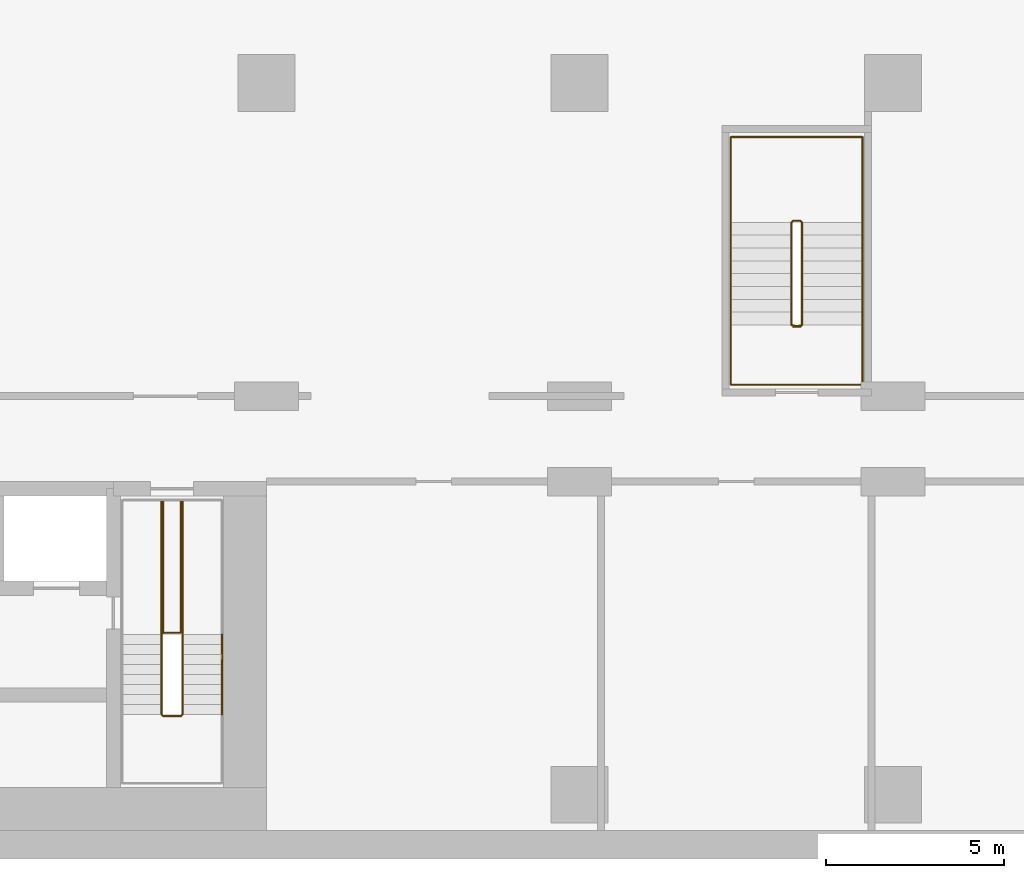
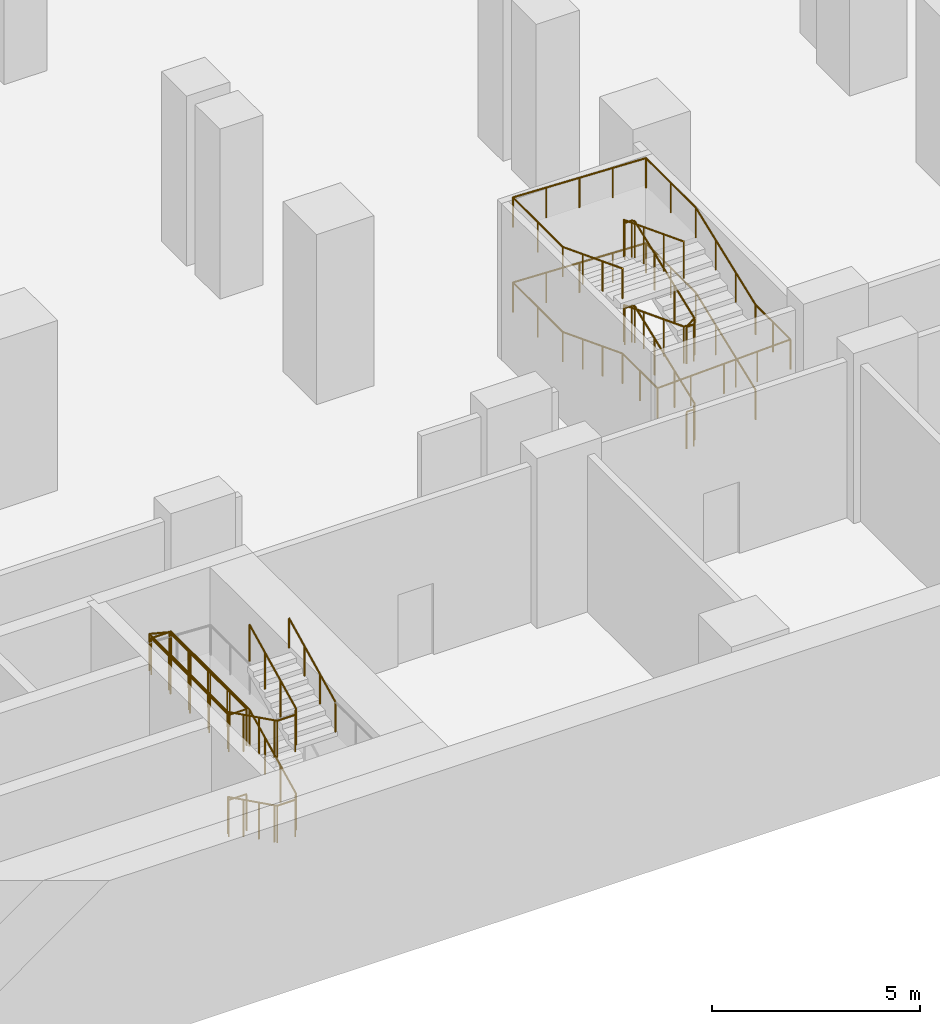
# One storey, part 10 of 12: 4 railings.
"""IFC4 building model written with IfcOpenShell, lengths in metres."""

from ifc_helpers import new_model, si_unit, direction, frame, origin, origin_2d, place, context, subcontext, project, spatial, circle, extrude, material, type_object, element, save


model = new_model("IFC4")

# Units and contexts
model_context = context("Model", 3, precision=1e-05, world=origin(), true_north=direction((0.0, 1.0)))
body_context = subcontext(model_context, "Body", "Model", "MODEL_VIEW")
ifc_project = project(units=[si_unit("LENGTHUNIT", "METRE"), si_unit("AREAUNIT", "SQUARE_METRE"), si_unit("VOLUMEUNIT", "CUBIC_METRE"), si_unit("PLANEANGLEUNIT", "RADIAN"), si_unit("MASSUNIT", "GRAM", prefix="KILO")], contexts=[model_context])

# Site, building, storey
site_placement = place(None, origin())
site = spatial("IfcSite", under=ifc_project, at=site_placement, CompositionType="ELEMENT")
building_placement = place(site_placement, origin())
building = spatial("IfcBuilding", under=site, at=building_placement, Name="Kemantara Hotel Tower", CompositionType="ELEMENT")
storey_placement = place(building_placement, frame((0.0, 0.0, -12.0)))
storey = spatial("IfcBuildingStorey", under=building, at=storey_placement, Name="B2", CompositionType="ELEMENT", Elevation=-12.0)

# Railings
ifc_material = material(Name="Stainless steel balustrade", Category="steel")
railing_type_1 = type_object("IfcRailingType", Name="Stair guard 1100 mm", PredefinedType="GUARDRAIL", material=ifc_material)
railing_1_placement = place(storey_placement, frame((42.64990234375, 5.5, 5.0)))
element("IfcRailing", 1, at=railing_1_placement, inside=storey, type_object=railing_type_1, Name="B2 ST2 stair guard 1", PredefinedType="GUARDRAIL", context=body_context, shape_type="SweptSolid", body=[
    extrude(circle(Radius=0.02392578125, at=origin_2d()), frame((0.0, 0.0, 1.076171875), z_axis=(0.0, -0.895848192791, -0.444360231651), x_axis=(1.0, 0.0, 0.0)), (0.0, 0.0, 1.0), 2.50048828125),
    extrude(circle(Radius=0.02392578125, at=origin_2d()), frame((0.0, -2.239990234375, -0.03515625), z_axis=(-0.319608697381, -0.321175406682, -0.891457592206), x_axis=(0.708833529934, -0.705375805398, 0.0)), (0.0, 0.0, 1.0), 0.15576171875),
    extrude(circle(Radius=0.02392578125, at=origin_2d()), frame((-0.0498046875, -2.2900390625, -0.173828125), z_axis=(-1.0, 0.0, 0.0), x_axis=(0.0, -1.0, 0.0)), (0.0, 0.0, 1.0), 0.5),
    extrude(circle(Radius=0.02392578125, at=origin_2d()), frame((-0.5498046875, -2.2900390625, -0.173828125), z_axis=(-0.707106781187, 0.707106781187, 0.0), x_axis=(-0.707106781187, -0.707106781187, 0.0)), (0.0, 0.0, 1.0), 0.07080078125),
    extrude(circle(Radius=0.02392578125, at=origin_2d()), frame((-0.599853515625, -2.239990234375, -0.173828125), z_axis=(0.0, 0.895848192791, -0.444360231651), x_axis=(-1.0, 0.0, 0.0)), (0.0, 0.0, 1.0), 2.50048828125),
    extrude(circle(Radius=0.02392578125, at=origin_2d()), frame((-0.599853515625, 0.0, -1.28515625), z_axis=(0.0, 1.0, 0.0), x_axis=(-1.0, 0.0, 0.0)), (0.0, 0.0, 1.0), 3.780029296875),
    extrude(circle(Radius=0.02392578125, at=origin_2d()), frame((-0.599853515625, 3.780029296875, -1.28515625), z_axis=(0.969557479204, 0.0, -0.244863828525), x_axis=(0.0, 1.0, 0.0)), (0.0, 0.0, 1.0), 0.5673828125),
    extrude(circle(Radius=0.02392578125, at=origin_2d()), frame((-0.0498046875, 3.780029296875, -1.423828125), z_axis=(0.0, -1.0, 0.0), x_axis=(1.0, 0.0, 0.0)), (0.0, 0.0, 1.0), 3.72998046875),
    extrude(circle(Radius=0.02392578125, at=origin_2d()), frame((-0.0498046875, 0.050048828125, -1.423828125), z_axis=(-1.0, 0.0, 0.0), x_axis=(0.0, -1.0, 0.0)), (0.0, 0.0, 1.0), 0.5),
    extrude(circle(Radius=0.02392578125, at=origin_2d()), frame((-0.5498046875, 0.050048828125, -1.423828125), z_axis=(0.0, 1.0, 0.0), x_axis=(-1.0, 0.0, 0.0)), (0.0, 0.0, 1.0), 3.72998046875),
    extrude(circle(Radius=0.02392578125, at=origin_2d()), frame((-0.5498046875, 3.780029296875, -1.423828125), z_axis=(1.0, 0.0, 0.0), x_axis=(0.0, 1.0, 0.0)), (0.0, 0.0, 1.0), 0.5498046875),
    extrude(circle(Radius=0.02392578125, at=origin_2d()), frame((0.0, 3.780029296875, -1.423828125), z_axis=(0.0, -1.0, 0.0), x_axis=(1.0, 0.0, 0.0)), (0.0, 0.0, 1.0), 3.780029296875),
    extrude(circle(Radius=0.02392578125, at=origin_2d()), frame((0.0, 0.0, -1.423828125), z_axis=(0.0, -0.895848192791, -0.444360231651), x_axis=(1.0, 0.0, 0.0)), (0.0, 0.0, 1.0), 2.50048828125),
    extrude(circle(Radius=0.02392578125, at=origin_2d()), frame((0.0, -2.239990234375, -2.53515625), z_axis=(-0.319608697381, -0.321175406682, -0.891457592206), x_axis=(0.708833529934, -0.705375805398, 0.0)), (0.0, 0.0, 1.0), 0.15576171875),
    extrude(circle(Radius=0.02392578125, at=origin_2d()), frame((-0.0498046875, -2.2900390625, -2.673828125), z_axis=(-1.0, 0.0, 0.0), x_axis=(0.0, -1.0, 0.0)), (0.0, 0.0, 1.0), 0.5),
    extrude(circle(Radius=0.02392578125, at=origin_2d()), frame((-0.5498046875, -2.2900390625, -2.673828125), z_axis=(-0.707106781187, 0.707106781187, 0.0), x_axis=(-0.707106781187, -0.707106781187, 0.0)), (0.0, 0.0, 1.0), 0.07080078125),
    extrude(circle(Radius=0.02392578125, at=origin_2d()), frame((-0.599853515625, -2.239990234375, -2.673828125), z_axis=(0.0, 0.895848192791, -0.444360231651), x_axis=(-1.0, 0.0, 0.0)), (0.0, 0.0, 1.0), 2.50048828125),
    extrude(circle(Radius=0.02392578125, at=origin_2d()), frame((-0.599853515625, 0.0, -3.78515625), z_axis=(0.321014310373, 0.321014310373, -0.891010451718), x_axis=(-0.707106781187, 0.707106781187, 0.0)), (0.0, 0.0, 1.0), 0.156005859375),
    extrude(circle(Radius=0.02392578125, at=origin_2d()), frame((-0.5498046875, 0.050048828125, -3.923828125), z_axis=(1.0, 0.0, 0.0), x_axis=(0.0, 1.0, 0.0)), (0.0, 0.0, 1.0), 0.5),
    extrude(circle(Radius=0.02099609375, at=origin_2d()), origin(), (0.0, 0.0, 1.0), 1.052001953125),
    extrude(circle(Radius=0.02099609375, at=origin_2d()), frame((0.0, -0.74658203125, -0.370361328125)), (0.0, 0.0, 1.0), 1.052001953125),
    extrude(circle(Radius=0.02099609375, at=origin_2d()), frame((0.0, -1.493408203125, -0.74072265625)), (0.0, 0.0, 1.0), 1.052001953125),
    extrude(circle(Radius=0.02099609375, at=origin_2d()), frame((0.0, -2.239990234375, -1.111083984375)), (0.0, 0.0, 1.0), 1.052001953125),
    extrude(circle(Radius=0.02099609375, at=origin_2d()), frame((-0.0498046875, -2.2900390625, -1.25)), (0.0, 0.0, 1.0), 1.052001953125),
    extrude(circle(Radius=0.02099609375, at=origin_2d()), frame((-0.5498046875, -2.2900390625, -1.25)), (0.0, 0.0, 1.0), 1.052001953125),
    extrude(circle(Radius=0.02099609375, at=origin_2d()), frame((-0.599853515625, -2.239990234375, -1.25)), (0.0, 0.0, 1.0), 1.052001953125),
    extrude(circle(Radius=0.02099609375, at=origin_2d()), frame((-0.599853515625, -1.493408203125, -1.620361328125)), (0.0, 0.0, 1.0), 1.052001953125),
    extrude(circle(Radius=0.02099609375, at=origin_2d()), frame((-0.599853515625, -0.74658203125, -1.99072265625)), (0.0, 0.0, 1.0), 1.052001953125),
    extrude(circle(Radius=0.02099609375, at=origin_2d()), frame((-0.599853515625, 0.0, -2.361083984375)), (0.0, 0.0, 1.0), 1.052001953125),
    extrude(circle(Radius=0.02099609375, at=origin_2d()), frame((-0.599853515625, 0.945068359375, -2.361083984375)), (0.0, 0.0, 1.0), 1.052001953125),
    extrude(circle(Radius=0.02099609375, at=origin_2d()), frame((-0.599853515625, 1.89013671875, -2.361083984375)), (0.0, 0.0, 1.0), 1.052001953125),
    extrude(circle(Radius=0.02099609375, at=origin_2d()), frame((-0.599853515625, 2.8349609375, -2.361083984375)), (0.0, 0.0, 1.0), 1.052001953125),
    extrude(circle(Radius=0.02099609375, at=origin_2d()), frame((-0.599853515625, 3.780029296875, -2.361083984375)), (0.0, 0.0, 1.0), 1.052001953125),
    extrude(circle(Radius=0.02099609375, at=origin_2d()), frame((-0.0498046875, 3.780029296875, -2.5)), (0.0, 0.0, 1.0), 1.052001953125),
    extrude(circle(Radius=0.02099609375, at=origin_2d()), frame((-0.0498046875, 2.84765625, -2.5)), (0.0, 0.0, 1.0), 1.052001953125),
    extrude(circle(Radius=0.02099609375, at=origin_2d()), frame((-0.0498046875, 1.9150390625, -2.5)), (0.0, 0.0, 1.0), 1.052001953125),
    extrude(circle(Radius=0.02099609375, at=origin_2d()), frame((-0.0498046875, 0.982421875, -2.5)), (0.0, 0.0, 1.0), 1.052001953125),
    extrude(circle(Radius=0.02099609375, at=origin_2d()), frame((-0.0498046875, 0.050048828125, -2.5)), (0.0, 0.0, 1.0), 1.052001953125),
    extrude(circle(Radius=0.02099609375, at=origin_2d()), frame((-0.5498046875, 0.050048828125, -2.5)), (0.0, 0.0, 1.0), 1.052001953125),
    extrude(circle(Radius=0.02099609375, at=origin_2d()), frame((-0.5498046875, 0.982421875, -2.5)), (0.0, 0.0, 1.0), 1.052001953125),
    extrude(circle(Radius=0.02099609375, at=origin_2d()), frame((-0.5498046875, 1.9150390625, -2.5)), (0.0, 0.0, 1.0), 1.052001953125),
    extrude(circle(Radius=0.02099609375, at=origin_2d()), frame((-0.5498046875, 2.84765625, -2.5)), (0.0, 0.0, 1.0), 1.052001953125),
    extrude(circle(Radius=0.02099609375, at=origin_2d()), frame((-0.5498046875, 3.780029296875, -2.5)), (0.0, 0.0, 1.0), 1.052001953125),
    extrude(circle(Radius=0.02099609375, at=origin_2d()), frame((0.0, 3.780029296875, -2.5)), (0.0, 0.0, 1.0), 1.052001953125),
    extrude(circle(Radius=0.02099609375, at=origin_2d()), frame((0.0, 2.8349609375, -2.5)), (0.0, 0.0, 1.0), 1.052001953125),
    extrude(circle(Radius=0.02099609375, at=origin_2d()), frame((0.0, 1.89013671875, -2.5)), (0.0, 0.0, 1.0), 1.052001953125),
    extrude(circle(Radius=0.02099609375, at=origin_2d()), frame((0.0, 0.945068359375, -2.5)), (0.0, 0.0, 1.0), 1.052001953125),
    extrude(circle(Radius=0.02099609375, at=origin_2d()), frame((0.0, 0.0, -2.5)), (0.0, 0.0, 1.0), 1.052001953125),
    extrude(circle(Radius=0.02099609375, at=origin_2d()), frame((0.0, -0.74658203125, -2.870361328125)), (0.0, 0.0, 1.0), 1.052001953125),
    extrude(circle(Radius=0.02099609375, at=origin_2d()), frame((0.0, -1.493408203125, -3.24072265625)), (0.0, 0.0, 1.0), 1.052001953125),
    extrude(circle(Radius=0.02099609375, at=origin_2d()), frame((0.0, -2.239990234375, -3.611083984375)), (0.0, 0.0, 1.0), 1.052001953125),
    extrude(circle(Radius=0.02099609375, at=origin_2d()), frame((-0.0498046875, -2.2900390625, -3.75)), (0.0, 0.0, 1.0), 1.052001953125),
    extrude(circle(Radius=0.02099609375, at=origin_2d()), frame((-0.5498046875, -2.2900390625, -3.75)), (0.0, 0.0, 1.0), 1.052001953125),
    extrude(circle(Radius=0.02099609375, at=origin_2d()), frame((-0.599853515625, -2.239990234375, -3.75)), (0.0, 0.0, 1.0), 1.052001953125),
    extrude(circle(Radius=0.02099609375, at=origin_2d()), frame((-0.599853515625, -1.493408203125, -4.120361328125)), (0.0, 0.0, 1.0), 1.052001953125),
    extrude(circle(Radius=0.02099609375, at=origin_2d()), frame((-0.599853515625, -0.74658203125, -4.49072265625)), (0.0, 0.0, 1.0), 1.052001953125),
    extrude(circle(Radius=0.02099609375, at=origin_2d()), frame((-0.599853515625, 0.0, -4.861083984375)), (0.0, 0.0, 1.0), 1.052001953125),
    extrude(circle(Radius=0.02099609375, at=origin_2d()), frame((-0.5498046875, 0.050048828125, -5.0)), (0.0, 0.0, 1.0), 1.052001953125),
    extrude(circle(Radius=0.02099609375, at=origin_2d()), frame((-0.0498046875, 0.050048828125, -5.0)), (0.0, 0.0, 1.0), 1.052001953125),
])
railing_2_placement = place(storey_placement, frame((59.75, 14.199951171875, 5.0)))
element("IfcRailing", 2, at=railing_2_placement, inside=storey, type_object=railing_type_1, Name="B2 ST3 stair guard 1", PredefinedType="GUARDRAIL", context=body_context, shape_type="SweptSolid", body=[
    extrude(circle(Radius=0.02392578125, at=origin_2d()), frame((0.0, 0.0, 1.076171875), z_axis=(0.0, 0.932982310422, -0.359922225543), x_axis=(-1.0, 0.0, 0.0)), (0.0, 0.0, 1.0), 3.0869140625),
    extrude(circle(Radius=0.02392578125, at=origin_2d()), frame((0.0, 2.880126953125, -0.03515625), z_axis=(0.321175406682, 0.319608697381, -0.891457592206), x_axis=(-0.705375805398, 0.708833529934, 0.0)), (0.0, 0.0, 1.0), 0.15576171875),
    extrude(circle(Radius=0.02392578125, at=origin_2d()), frame((0.050048828125, 2.929931640625, -0.173828125), z_axis=(1.0, 0.0, 0.0), x_axis=(0.0, 1.0, 0.0)), (0.0, 0.0, 1.0), 0.199951171875),
    extrude(circle(Radius=0.02392578125, at=origin_2d()), frame((0.25, 2.929931640625, -0.173828125), z_axis=(0.708833529934, -0.705375805398, 0.0), x_axis=(0.705375805398, 0.708833529934, 0.0)), (0.0, 0.0, 1.0), 0.070556640625),
    extrude(circle(Radius=0.02392578125, at=origin_2d()), frame((0.300048828125, 2.880126953125, -0.173828125), z_axis=(0.0, -0.932982310422, -0.359922225543), x_axis=(1.0, 0.0, 0.0)), (0.0, 0.0, 1.0), 3.0869140625),
    extrude(circle(Radius=0.02392578125, at=origin_2d()), frame((0.300048828125, 0.0, -1.28515625), z_axis=(-0.861032742868, -0.172374719031, -0.478444951847), x_axis=(0.196300278283, -0.98054382908, 0.0)), (0.0, 0.0, 1.0), 0.290283203125),
    extrude(circle(Radius=0.02392578125, at=origin_2d()), frame((0.050048828125, -0.050048828125, -1.423828125), z_axis=(1.0, 0.0, 0.0), x_axis=(0.0, 1.0, 0.0)), (0.0, 0.0, 1.0), 0.199951171875),
    extrude(circle(Radius=0.02392578125, at=origin_2d()), frame((0.25, -0.050048828125, -1.423828125), z_axis=(-0.98054382908, 0.196300278283, 0.0), x_axis=(-0.196300278283, -0.98054382908, 0.0)), (0.0, 0.0, 1.0), 0.2548828125),
    extrude(circle(Radius=0.02392578125, at=origin_2d()), frame((0.0, 0.0, -1.423828125), z_axis=(0.0, 0.932982310422, -0.359922225543), x_axis=(-1.0, 0.0, 0.0)), (0.0, 0.0, 1.0), 3.0869140625),
    extrude(circle(Radius=0.02392578125, at=origin_2d()), frame((0.0, 2.880126953125, -2.53515625), z_axis=(0.321175406682, 0.319608697381, -0.891457592206), x_axis=(-0.705375805398, 0.708833529934, 0.0)), (0.0, 0.0, 1.0), 0.15576171875),
    extrude(circle(Radius=0.02392578125, at=origin_2d()), frame((0.050048828125, 2.929931640625, -2.673828125), z_axis=(1.0, 0.0, 0.0), x_axis=(0.0, 1.0, 0.0)), (0.0, 0.0, 1.0), 0.199951171875),
    extrude(circle(Radius=0.02392578125, at=origin_2d()), frame((0.25, 2.929931640625, -2.673828125), z_axis=(0.708833529934, -0.705375805398, 0.0), x_axis=(0.705375805398, 0.708833529934, 0.0)), (0.0, 0.0, 1.0), 0.070556640625),
    extrude(circle(Radius=0.02392578125, at=origin_2d()), frame((0.300048828125, 2.880126953125, -2.673828125), z_axis=(0.0, -0.932982310422, -0.359922225543), x_axis=(1.0, 0.0, 0.0)), (0.0, 0.0, 1.0), 3.0869140625),
    extrude(circle(Radius=0.02392578125, at=origin_2d()), frame((0.300048828125, 0.0, -3.78515625), z_axis=(-0.321014310373, -0.321014310373, -0.891010451718), x_axis=(0.707106781187, -0.707106781187, 0.0)), (0.0, 0.0, 1.0), 0.156005859375),
    extrude(circle(Radius=0.02392578125, at=origin_2d()), frame((0.25, -0.050048828125, -3.923828125), z_axis=(-1.0, 0.0, 0.0), x_axis=(0.0, -1.0, 0.0)), (0.0, 0.0, 1.0), 0.199951171875),
    extrude(circle(Radius=0.02099609375, at=origin_2d()), origin(), (0.0, 0.0, 1.0), 1.052001953125),
    extrude(circle(Radius=0.02099609375, at=origin_2d()), frame((0.0, 0.9599609375, -0.370361328125)), (0.0, 0.0, 1.0), 1.052001953125),
    extrude(circle(Radius=0.02099609375, at=origin_2d()), frame((0.0, 1.920166015625, -0.74072265625)), (0.0, 0.0, 1.0), 1.052001953125),
    extrude(circle(Radius=0.02099609375, at=origin_2d()), frame((0.0, 2.880126953125, -1.111083984375)), (0.0, 0.0, 1.0), 1.052001953125),
    extrude(circle(Radius=0.02099609375, at=origin_2d()), frame((0.050048828125, 2.929931640625, -1.25)), (0.0, 0.0, 1.0), 1.052001953125),
    extrude(circle(Radius=0.02099609375, at=origin_2d()), frame((0.25, 2.929931640625, -1.25)), (0.0, 0.0, 1.0), 1.052001953125),
    extrude(circle(Radius=0.02099609375, at=origin_2d()), frame((0.300048828125, 2.880126953125, -1.25)), (0.0, 0.0, 1.0), 1.052001953125),
    extrude(circle(Radius=0.02099609375, at=origin_2d()), frame((0.300048828125, 1.920166015625, -1.620361328125)), (0.0, 0.0, 1.0), 1.052001953125),
    extrude(circle(Radius=0.02099609375, at=origin_2d()), frame((0.300048828125, 0.9599609375, -1.99072265625)), (0.0, 0.0, 1.0), 1.052001953125),
    extrude(circle(Radius=0.02099609375, at=origin_2d()), frame((0.300048828125, 0.0, -2.361083984375)), (0.0, 0.0, 1.0), 1.052001953125),
    extrude(circle(Radius=0.02099609375, at=origin_2d()), frame((0.050048828125, -0.050048828125, -2.5)), (0.0, 0.0, 1.0), 1.052001953125),
    extrude(circle(Radius=0.02099609375, at=origin_2d()), frame((0.25, -0.050048828125, -2.5)), (0.0, 0.0, 1.0), 1.052001953125),
    extrude(circle(Radius=0.02099609375, at=origin_2d()), frame((0.0, 0.0, -2.5)), (0.0, 0.0, 1.0), 1.052001953125),
    extrude(circle(Radius=0.02099609375, at=origin_2d()), frame((0.0, 0.9599609375, -2.870361328125)), (0.0, 0.0, 1.0), 1.052001953125),
    extrude(circle(Radius=0.02099609375, at=origin_2d()), frame((0.0, 1.920166015625, -3.24072265625)), (0.0, 0.0, 1.0), 1.052001953125),
    extrude(circle(Radius=0.02099609375, at=origin_2d()), frame((0.0, 2.880126953125, -3.611083984375)), (0.0, 0.0, 1.0), 1.052001953125),
    extrude(circle(Radius=0.02099609375, at=origin_2d()), frame((0.050048828125, 2.929931640625, -3.75)), (0.0, 0.0, 1.0), 1.052001953125),
    extrude(circle(Radius=0.02099609375, at=origin_2d()), frame((0.25, 2.929931640625, -3.75)), (0.0, 0.0, 1.0), 1.052001953125),
    extrude(circle(Radius=0.02099609375, at=origin_2d()), frame((0.300048828125, 2.880126953125, -3.75)), (0.0, 0.0, 1.0), 1.052001953125),
    extrude(circle(Radius=0.02099609375, at=origin_2d()), frame((0.300048828125, 1.920166015625, -4.120361328125)), (0.0, 0.0, 1.0), 1.052001953125),
    extrude(circle(Radius=0.02099609375, at=origin_2d()), frame((0.300048828125, 0.9599609375, -4.49072265625)), (0.0, 0.0, 1.0), 1.052001953125),
    extrude(circle(Radius=0.02099609375, at=origin_2d()), frame((0.300048828125, 0.0, -4.861083984375)), (0.0, 0.0, 1.0), 1.052001953125),
    extrude(circle(Radius=0.02099609375, at=origin_2d()), frame((0.25, -0.050048828125, -5.0)), (0.0, 0.0, 1.0), 1.052001953125),
    extrude(circle(Radius=0.02099609375, at=origin_2d()), frame((0.050048828125, -0.050048828125, -5.0)), (0.0, 0.0, 1.0), 1.052001953125),
])
railing_type_2 = type_object("IfcRailingType", Name="Stair handrail 900 mm", PredefinedType="HANDRAIL", material=ifc_material)
railing_3_placement = place(storey_placement, frame((43.75, 3.260009765625, 3.888916015625)))
element("IfcRailing", 3, at=railing_3_placement, inside=storey, type_object=railing_type_2, Name="B2 ST2 stair handrail 3", PredefinedType="HANDRAIL", context=body_context, shape_type="SweptSolid", body=[
    extrude(circle(Radius=0.02392578125, at=origin_2d()), frame((0.0, 0.0, 0.8759765625), z_axis=(0.0, 0.895848192791, 0.444360231651), x_axis=(-1.0, 0.0, 0.0)), (0.0, 0.0, 1.0), 2.50048828125),
    extrude(circle(Radius=0.02099609375, at=origin_2d()), origin(), (0.0, 0.0, 1.0), 0.851806640625),
    extrude(circle(Radius=0.02099609375, at=origin_2d()), frame((0.0, 0.74658203125, 0.370361328125)), (0.0, 0.0, 1.0), 0.851806640625),
    extrude(circle(Radius=0.02099609375, at=origin_2d()), frame((0.0, 1.493408203125, 0.74072265625)), (0.0, 0.0, 1.0), 0.851806640625),
    extrude(circle(Radius=0.02099609375, at=origin_2d()), frame((0.0, 2.239990234375, 1.111083984375)), (0.0, 0.0, 1.0), 0.851806640625),
])
railing_4_placement = place(storey_placement, frame((61.75, 14.199951171875, 0.138916015625)))
element("IfcRailing", 4, at=railing_4_placement, inside=storey, type_object=railing_type_2, Name="B2 ST3 stair handrail 1", PredefinedType="HANDRAIL", context=body_context, shape_type="SweptSolid", body=[
    extrude(circle(Radius=0.02392578125, at=origin_2d()), frame((0.0, 0.0, 0.8759765625), z_axis=(0.0, 0.932982310422, 0.359922225543), x_axis=(-1.0, 0.0, 0.0)), (0.0, 0.0, 1.0), 3.0869140625),
    extrude(circle(Radius=0.02392578125, at=origin_2d()), frame((0.0, 2.880126953125, 1.98681640625), z_axis=(0.0, 1.0, 0.0), x_axis=(-1.0, 0.0, 0.0)), (0.0, 0.0, 1.0), 2.39990234375),
    extrude(circle(Radius=0.02392578125, at=origin_2d()), frame((0.0, 5.280029296875, 1.98681640625), z_axis=(-0.999295917098, 0.0, 0.037518929517), x_axis=(0.0, -1.0, 0.0)), (0.0, 0.0, 1.0), 3.70263671875),
    extrude(circle(Radius=0.02392578125, at=origin_2d()), frame((-3.699951171875, 5.280029296875, 2.1259765625), z_axis=(0.0, -1.0, 0.0), x_axis=(1.0, 0.0, 0.0)), (0.0, 0.0, 1.0), 2.39990234375),
    extrude(circle(Radius=0.02392578125, at=origin_2d()), frame((-3.699951171875, 2.880126953125, 2.1259765625), z_axis=(0.0, -0.932982310422, 0.359922225543), x_axis=(1.0, 0.0, 0.0)), (0.0, 0.0, 1.0), 3.0869140625),
    extrude(circle(Radius=0.02392578125, at=origin_2d()), frame((-3.699951171875, 0.0, 3.23681640625), z_axis=(0.0, -1.0, 0.0), x_axis=(1.0, 0.0, 0.0)), (0.0, 0.0, 1.0), 1.679931640625),
    extrude(circle(Radius=0.02392578125, at=origin_2d()), frame((-3.699951171875, -1.679931640625, 3.23681640625), z_axis=(0.999295917098, 0.0, 0.037518929517), x_axis=(0.0, 1.0, 0.0)), (0.0, 0.0, 1.0), 3.70263671875),
    extrude(circle(Radius=0.02392578125, at=origin_2d()), frame((0.0, -1.679931640625, 3.3759765625), z_axis=(0.0, 1.0, 0.0), x_axis=(-1.0, 0.0, 0.0)), (0.0, 0.0, 1.0), 1.679931640625),
    extrude(circle(Radius=0.02392578125, at=origin_2d()), frame((0.0, 0.0, 3.3759765625), z_axis=(0.0, 0.932982310422, 0.359922225543), x_axis=(-1.0, 0.0, 0.0)), (0.0, 0.0, 1.0), 3.0869140625),
    extrude(circle(Radius=0.02392578125, at=origin_2d()), frame((0.0, 2.880126953125, 4.48681640625), z_axis=(0.0, 1.0, 0.0), x_axis=(-1.0, 0.0, 0.0)), (0.0, 0.0, 1.0), 2.39990234375),
    extrude(circle(Radius=0.02392578125, at=origin_2d()), frame((0.0, 5.280029296875, 4.48681640625), z_axis=(-0.999295917098, 0.0, 0.037518929517), x_axis=(0.0, -1.0, 0.0)), (0.0, 0.0, 1.0), 3.70263671875),
    extrude(circle(Radius=0.02392578125, at=origin_2d()), frame((-3.699951171875, 5.280029296875, 4.6259765625), z_axis=(0.0, -1.0, 0.0), x_axis=(1.0, 0.0, 0.0)), (0.0, 0.0, 1.0), 2.39990234375),
    extrude(circle(Radius=0.02392578125, at=origin_2d()), frame((-3.699951171875, 2.880126953125, 4.6259765625), z_axis=(0.0, -0.932982310422, 0.359922225543), x_axis=(1.0, 0.0, 0.0)), (0.0, 0.0, 1.0), 3.0869140625),
    extrude(circle(Radius=0.02099609375, at=origin_2d()), origin(), (0.0, 0.0, 1.0), 0.851806640625),
    extrude(circle(Radius=0.02099609375, at=origin_2d()), frame((0.0, 0.9599609375, 0.370361328125)), (0.0, 0.0, 1.0), 0.851806640625),
    extrude(circle(Radius=0.02099609375, at=origin_2d()), frame((0.0, 1.920166015625, 0.74072265625)), (0.0, 0.0, 1.0), 0.851806640625),
    extrude(circle(Radius=0.02099609375, at=origin_2d()), frame((0.0, 2.880126953125, 1.111083984375)), (0.0, 0.0, 1.0), 0.851806640625),
    extrude(circle(Radius=0.02099609375, at=origin_2d()), frame((0.0, 4.080078125, 1.111083984375)), (0.0, 0.0, 1.0), 0.851806640625),
    extrude(circle(Radius=0.02099609375, at=origin_2d()), frame((0.0, 5.280029296875, 1.111083984375)), (0.0, 0.0, 1.0), 0.851806640625),
    extrude(circle(Radius=0.02099609375, at=origin_2d()), frame((-0.925048828125, 5.280029296875, 1.145751953125)), (0.0, 0.0, 1.0), 0.851806640625),
    extrude(circle(Radius=0.02099609375, at=origin_2d()), frame((-1.85009765625, 5.280029296875, 1.1806640625)), (0.0, 0.0, 1.0), 0.851806640625),
    extrude(circle(Radius=0.02099609375, at=origin_2d()), frame((-2.77490234375, 5.280029296875, 1.21533203125)), (0.0, 0.0, 1.0), 0.851806640625),
    extrude(circle(Radius=0.02099609375, at=origin_2d()), frame((-3.699951171875, 5.280029296875, 1.25)), (0.0, 0.0, 1.0), 0.851806640625),
    extrude(circle(Radius=0.02099609375, at=origin_2d()), frame((-3.699951171875, 4.080078125, 1.25)), (0.0, 0.0, 1.0), 0.851806640625),
    extrude(circle(Radius=0.02099609375, at=origin_2d()), frame((-3.699951171875, 2.880126953125, 1.25)), (0.0, 0.0, 1.0), 0.851806640625),
    extrude(circle(Radius=0.02099609375, at=origin_2d()), frame((-3.699951171875, 1.920166015625, 1.620361328125)), (0.0, 0.0, 1.0), 0.851806640625),
    extrude(circle(Radius=0.02099609375, at=origin_2d()), frame((-3.699951171875, 0.9599609375, 1.99072265625)), (0.0, 0.0, 1.0), 0.851806640625),
    extrude(circle(Radius=0.02099609375, at=origin_2d()), frame((-3.699951171875, 0.0, 2.361083984375)), (0.0, 0.0, 1.0), 0.851806640625),
    extrude(circle(Radius=0.02099609375, at=origin_2d()), frame((-3.699951171875, -0.83984375, 2.361083984375)), (0.0, 0.0, 1.0), 0.851806640625),
    extrude(circle(Radius=0.02099609375, at=origin_2d()), frame((-3.699951171875, -1.679931640625, 2.361083984375)), (0.0, 0.0, 1.0), 0.851806640625),
    extrude(circle(Radius=0.02099609375, at=origin_2d()), frame((-2.77490234375, -1.679931640625, 2.395751953125)), (0.0, 0.0, 1.0), 0.851806640625),
    extrude(circle(Radius=0.02099609375, at=origin_2d()), frame((-1.85009765625, -1.679931640625, 2.4306640625)), (0.0, 0.0, 1.0), 0.851806640625),
    extrude(circle(Radius=0.02099609375, at=origin_2d()), frame((-0.925048828125, -1.679931640625, 2.46533203125)), (0.0, 0.0, 1.0), 0.851806640625),
    extrude(circle(Radius=0.02099609375, at=origin_2d()), frame((0.0, -1.679931640625, 2.5)), (0.0, 0.0, 1.0), 0.851806640625),
    extrude(circle(Radius=0.02099609375, at=origin_2d()), frame((0.0, -0.83984375, 2.5)), (0.0, 0.0, 1.0), 0.851806640625),
    extrude(circle(Radius=0.02099609375, at=origin_2d()), frame((0.0, 0.0, 2.5)), (0.0, 0.0, 1.0), 0.851806640625),
    extrude(circle(Radius=0.02099609375, at=origin_2d()), frame((0.0, 0.9599609375, 2.870361328125)), (0.0, 0.0, 1.0), 0.851806640625),
    extrude(circle(Radius=0.02099609375, at=origin_2d()), frame((0.0, 1.920166015625, 3.24072265625)), (0.0, 0.0, 1.0), 0.851806640625),
    extrude(circle(Radius=0.02099609375, at=origin_2d()), frame((0.0, 2.880126953125, 3.611083984375)), (0.0, 0.0, 1.0), 0.851806640625),
    extrude(circle(Radius=0.02099609375, at=origin_2d()), frame((0.0, 4.080078125, 3.611083984375)), (0.0, 0.0, 1.0), 0.851806640625),
    extrude(circle(Radius=0.02099609375, at=origin_2d()), frame((0.0, 5.280029296875, 3.611083984375)), (0.0, 0.0, 1.0), 0.851806640625),
    extrude(circle(Radius=0.02099609375, at=origin_2d()), frame((-0.925048828125, 5.280029296875, 3.645751953125)), (0.0, 0.0, 1.0), 0.851806640625),
    extrude(circle(Radius=0.02099609375, at=origin_2d()), frame((-1.85009765625, 5.280029296875, 3.6806640625)), (0.0, 0.0, 1.0), 0.851806640625),
    extrude(circle(Radius=0.02099609375, at=origin_2d()), frame((-2.77490234375, 5.280029296875, 3.71533203125)), (0.0, 0.0, 1.0), 0.851806640625),
    extrude(circle(Radius=0.02099609375, at=origin_2d()), frame((-3.699951171875, 5.280029296875, 3.75)), (0.0, 0.0, 1.0), 0.851806640625),
    extrude(circle(Radius=0.02099609375, at=origin_2d()), frame((-3.699951171875, 4.080078125, 3.75)), (0.0, 0.0, 1.0), 0.851806640625),
    extrude(circle(Radius=0.02099609375, at=origin_2d()), frame((-3.699951171875, 2.880126953125, 3.75)), (0.0, 0.0, 1.0), 0.851806640625),
    extrude(circle(Radius=0.02099609375, at=origin_2d()), frame((-3.699951171875, 1.920166015625, 4.120361328125)), (0.0, 0.0, 1.0), 0.851806640625),
    extrude(circle(Radius=0.02099609375, at=origin_2d()), frame((-3.699951171875, 0.9599609375, 4.49072265625)), (0.0, 0.0, 1.0), 0.851806640625),
    extrude(circle(Radius=0.02099609375, at=origin_2d()), frame((-3.699951171875, 0.0, 4.861083984375)), (0.0, 0.0, 1.0), 0.851806640625),
])

save(model, "model.ifc")
